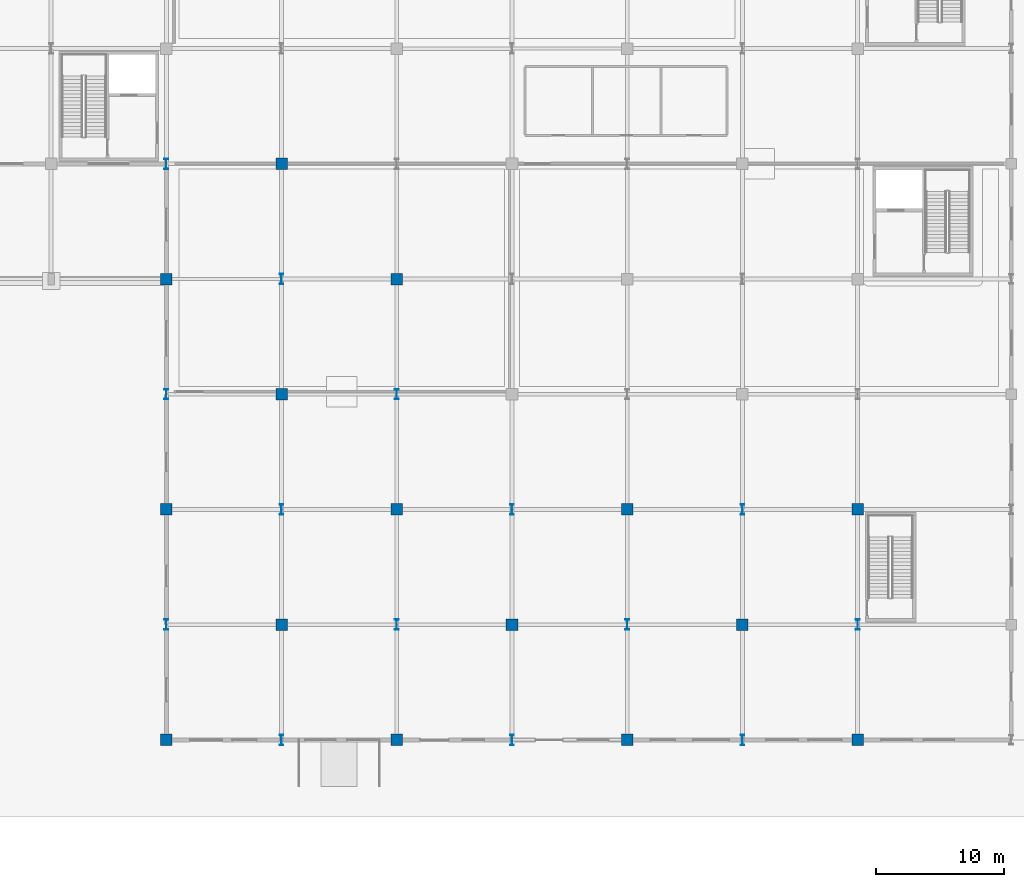
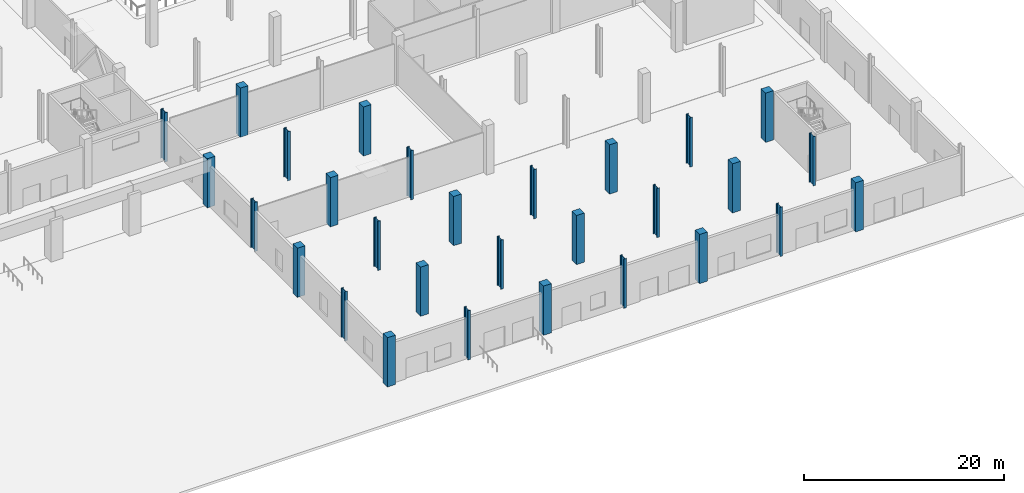
# One storey, part 9 of 58: 29 columns.
"""IFC4 building model written with IfcOpenShell, lengths in metres."""

import ifcopenshell
import ifcopenshell.guid

model = None  # the IFC model being written
_history = None  # IfcOwnerHistory: only IFC2X3 demands one
_inside = {}  # id of a spatial element -> (the spatial element, [elements in it])
_under = {}  # id of a project, library or spatial element -> (it, [spatial elements below it])
_declared = {}  # id of a project -> (the project, [libraries it declares])
_typed = {}  # id of a type object -> (the type object, [elements of that type])
_made_of = {}  # id of a material, layer set ... -> (it, [elements and type objects made of it])


def new_model(schema):
    """Start an empty IFC model of exactly this schema.

    Asked for "IFC4X3", IfcOpenShell would pick the latest addendum, in which some entities
    have other attributes; the version numbers below select the first issue.
    IFC2X3 requires an IfcOwnerHistory on every rooted entity: one is made here for all.
    """
    global model, _history
    if schema == "IFC4X3":
        model = ifcopenshell.file(schema_version=(4, 3, 0, 0))
    else:
        model = ifcopenshell.file(schema=schema)
    _inside.clear()
    _under.clear()
    _declared.clear()
    _typed.clear()
    _made_of.clear()
    _history = None
    if model.schema == "IFC2X3":
        org = make("IfcOrganization", Name="unknown")
        user = make(
            "IfcPersonAndOrganization",
            ThePerson=make("IfcPerson", FamilyName="unknown"),
            TheOrganization=org,
        )
        app = make(
            "IfcApplication",
            ApplicationDeveloper=org,
            Version="unknown",
            ApplicationFullName="unknown",
            ApplicationIdentifier="unknown",
        )
        _history = make(
            "IfcOwnerHistory",
            OwningUser=user,
            OwningApplication=app,
            ChangeAction="ADDED",
            CreationDate=0,
        )
    return model


def make(cls, **values):
    """One entity of the class cls with the attributes given. An attribute that is None is left unset."""
    return model.create_entity(
        cls, **{name: value for name, value in values.items() if value is not None}
    )


def rooted(cls, **values):
    """An entity with a GlobalId (a new one), such as an element, a storey or a relation."""
    return make(cls, GlobalId=ifcopenshell.guid.new(), OwnerHistory=_history, **values)


def si_unit(unit_type, name, prefix=None):
    """IfcSIUnit, for example si_unit("LENGTHUNIT", "METRE", prefix="MILLI")."""
    return make("IfcSIUnit", UnitType=unit_type, Prefix=prefix, Name=name)


def assignment(units):
    """IfcUnitAssignment: the units of a project."""
    return None if units is None else make("IfcUnitAssignment", Units=units)


def point(xyz):
    """IfcCartesianPoint."""
    return None if xyz is None else make("IfcCartesianPoint", Coordinates=xyz)


def direction(xyz):
    """IfcDirection."""
    return None if xyz is None else make("IfcDirection", DirectionRatios=xyz)


def frame(location, z_axis=None, x_axis=None):
    """IfcAxis2Placement3D, a coordinate frame: its origin and axes. An axis left out is left unset."""
    return make(
        "IfcAxis2Placement3D",
        Location=point(location),
        Axis=direction(z_axis),
        RefDirection=direction(x_axis),
    )


def frame_2d(location, x_axis=None):
    """IfcAxis2Placement2D, a coordinate frame in the plane: its origin and x axis."""
    return make(
        "IfcAxis2Placement2D", Location=point(location), RefDirection=direction(x_axis)
    )


def origin():
    """The frame at (0, 0, 0) with its axes left unset."""
    return frame((0.0, 0.0, 0.0))


def origin_2d():
    """The frame at (0, 0) in the plane with its x axis left unset."""
    return frame_2d((0.0, 0.0))


def place(relative_to, where):
    """IfcLocalPlacement: puts the frame where relative to a parent placement (None: the world)."""
    return make(
        "IfcLocalPlacement", PlacementRelTo=relative_to, RelativePlacement=where
    )


def context(
    kind, dimensions, precision=None, world=None, true_north=None, identifier=None
):
    """IfcGeometricRepresentationContext, for example the 3D "Model" context."""
    return make(
        "IfcGeometricRepresentationContext",
        ContextIdentifier=identifier,
        ContextType=kind,
        CoordinateSpaceDimension=dimensions,
        Precision=precision,
        WorldCoordinateSystem=world,
        TrueNorth=true_north,
    )


def subcontext(parent, identifier, kind, view, scale=None):
    """IfcGeometricRepresentationSubContext, for example "Body" below "Model"."""
    return make(
        "IfcGeometricRepresentationSubContext",
        ContextIdentifier=identifier,
        ContextType=kind,
        ParentContext=parent,
        TargetScale=scale,
        TargetView=view,
    )


def project(units=None, contexts=None):
    """IfcProject with its units and contexts."""
    return rooted(
        "IfcProject",
        Name="project",
        RepresentationContexts=contexts,
        UnitsInContext=assignment(units),
    )


def spatial(cls, under=None, at=None, **own):
    """A site, building, storey or space (cls), placed at a placement, below another one or the project."""
    s = rooted(cls, ObjectPlacement=at, **own)
    if under is not None:
        _under.setdefault(under.id(), (under, []))[1].append(s)
    return s


def profile(cls, at=None, kind="AREA", **sizes):
    """A parametric profile (cls). Its sizes go by their IFC names, for example OverallWidth=200.0."""
    return make(cls, ProfileType=kind, Position=at, **sizes)


def rectangle(**sizes):
    """IfcRectangleProfileDef."""
    return profile("IfcRectangleProfileDef", **sizes)


def i_section(**sizes):
    """IfcIShapeProfileDef."""
    return profile("IfcIShapeProfileDef", **sizes)


def extrude(swept, where, along, depth):
    """IfcExtrudedAreaSolid: the profile swept, set in the frame where, extruded along a direction by depth."""
    return make(
        "IfcExtrudedAreaSolid",
        SweptArea=swept,
        Position=where,
        ExtrudedDirection=direction(along),
        Depth=depth,
    )


def shape(context_of_items, identifier, shape_type, items):
    """IfcShapeRepresentation: the items that make up one representation, for example the "Body"."""
    return make(
        "IfcShapeRepresentation",
        ContextOfItems=context_of_items,
        RepresentationIdentifier=identifier,
        RepresentationType=shape_type,
        Items=items,
    )


def material(Name=None, Category=None):
    """IfcMaterial."""
    return make("IfcMaterial", Name=Name, Category=Category)


def material_profile(
    of_material, cross_section, Name=None, Category=None, Priority=None
):
    """IfcMaterialProfile: a cross section and its material."""
    return make(
        "IfcMaterialProfile",
        Name=Name,
        Material=of_material,
        Profile=cross_section,
        Priority=Priority,
        Category=Category,
    )


def profile_set(profiles, Name=None, composite=None):
    """IfcMaterialProfileSet."""
    return make(
        "IfcMaterialProfileSet",
        Name=Name,
        MaterialProfiles=profiles,
        CompositeProfile=composite,
    )


def made_of(thing, what):
    """Note that an element or type object is made of a material, layer set ...; save() writes the relation."""
    if what is not None:
        _made_of.setdefault(what.id(), (what, []))[1].append(thing)
    return thing


def type_object(cls, material=None, **own):
    """A type object (cls), such as IfcWallType, which elements share."""
    return made_of(rooted(cls, **own), material)


def element(
    cls,
    number,
    at=None,
    inside=None,
    cuts=None,
    type_object=None,
    material=None,
    context=None,
    identifier="Body",
    shape_type=None,
    held_by="IfcProductDefinitionShape",
    body=None,
    shapes=None,
    **own,
):
    """One element of the class cls, such as IfcWall. Its Tag is "e" and its number.

    at: its placement. inside: the storey or other place that contains it. cuts: it is an
    opening in that element (IfcRelVoidsElement). A single representation is given by context,
    identifier, shape_type and body (its items); several are given by shapes. held_by: the class
    of the entity that holds the representations. save() writes the other relations.
    """
    e = rooted(cls, Tag="e%d" % number, ObjectPlacement=at, **own)
    if body is not None:
        shapes = [shape(context, identifier, shape_type, body)]
    if shapes is not None:
        e.Representation = make(held_by, Representations=shapes)
    if inside is not None:
        _inside.setdefault(inside.id(), (inside, []))[1].append(e)
    if cuts is not None:
        rooted(
            "IfcRelVoidsElement", RelatingBuildingElement=cuts, RelatedOpeningElement=e
        )
    if type_object is not None:
        _typed.setdefault(type_object.id(), (type_object, []))[1].append(e)
    return made_of(e, material)


def aggregate(whole, parts):
    """IfcRelAggregates: a whole, such as a stair, and the parts it consists of."""
    return rooted("IfcRelAggregates", RelatingObject=whole, RelatedObjects=parts)


def save(model, path):
    """Write the relations noted so far, then the file.

    IfcRelAggregates (storeys below a building ...), IfcRelContainedInSpatialStructure (elements
    in a storey), IfcRelDefinesByType, IfcRelAssociatesMaterial and IfcRelDeclares: one each for
    every whole, place, type object, material and project.
    """
    for whole, parts in _under.values():
        aggregate(whole, parts)
    for where, things in _inside.values():
        rooted(
            "IfcRelContainedInSpatialStructure",
            RelatedElements=things,
            RelatingStructure=where,
        )
    for kind, things in _typed.values():
        rooted("IfcRelDefinesByType", RelatedObjects=things, RelatingType=kind)
    for what, things in _made_of.values():
        rooted("IfcRelAssociatesMaterial", RelatedObjects=things, RelatingMaterial=what)
    for by, libraries in _declared.values():
        rooted("IfcRelDeclares", RelatingContext=by, RelatedDefinitions=libraries)
    model.write(path)


model = new_model("IFC4")

# Units and contexts
model_context = context("Model", 3, precision=1e-05, world=origin(), true_north=direction((0.0, 1.0)))
body_context = subcontext(model_context, "Body", "Model", "MODEL_VIEW")
ifc_project = project(units=[si_unit("LENGTHUNIT", "METRE"), si_unit("AREAUNIT", "SQUARE_METRE"), si_unit("VOLUMEUNIT", "CUBIC_METRE"), si_unit("PLANEANGLEUNIT", "RADIAN"), si_unit("MASSUNIT", "GRAM", prefix="KILO")], contexts=[model_context])

# Site, building, storey
site_placement = place(None, origin())
site = spatial("IfcSite", under=ifc_project, at=site_placement, CompositionType="ELEMENT")
building_placement = place(site_placement, origin())
building = spatial("IfcBuilding", under=site, at=building_placement, Name="Barlavento Convention Centre", CompositionType="ELEMENT")
storey_placement = place(building_placement, origin())
storey = spatial("IfcBuildingStorey", under=building, at=storey_placement, Name="L00", CompositionType="ELEMENT", Elevation=0.0)

# Columns
ifc_material_1 = material(Name="Steel S460", Category="steel")
ifc_material_profile_1 = material_profile(ifc_material_1, i_section(OverallWidth=0.302978515625, OverallDepth=0.81396484375, WebThickness=0.02099609375, FlangeThickness=0.0400390625, FilletRadius=0.030029296875, at=origin_2d()), Name="HEM 800")
ifc_profile_set_1 = profile_set([ifc_material_profile_1], Name="Steel S460")
column_type_1 = type_object("IfcColumnType", Name="STR-COL-HEM800", PredefinedType="COLUMN", material=ifc_profile_set_1)
for number, where, z_axis, x_axis, name in (
    (1, (126.0, 9.0, 0.0), (0.0, 0.0, 1.0), (1.0, 0.0, 0.0), "L00 column SC02"),
    (2, (126.0, 27.0, 0.0), (0.0, 0.0, 1.0), (1.0, 0.0, 0.0), "L00 column SC02"),
    (3, (126.0, 45.0, 0.0), (0.0, 0.0, 1.0), (1.0, 0.0, 0.0), "L00 column SC02"),
    (4, (135.0, 0.0, 0.0), (0.0, 0.0, 1.0), (1.0, 0.0, 0.0), "L00 column SC02"),
    (5, (135.0, 18.0, 0.0), (0.0, 0.0, 1.0), (1.0, 0.0, 0.0), "L00 column SC02"),
    (6, (135.0, 36.0, 0.0), (0.0, 0.0, 1.0), (1.0, 0.0, 0.0), "L00 column SC02"),
    (7, (144.0, 9.0, 0.0), (0.0, 0.0, 1.0), (1.0, 0.0, 0.0), "L00 column SC02"),
    (8, (144.0, 27.0, 0.0), (0.0, 0.0, 1.0), (1.0, 0.0, 0.0), "L00 column SC02"),
    (9, (153.0, 0.0, 0.0), (0.0, 0.0, 1.0), (1.0, 0.0, 0.0), "L00 column SC02"),
    (10, (153.0, 18.0, 0.0), (0.0, 0.0, 1.0), (1.0, 0.0, 0.0), "L00 column SC02"),
    (11, (162.0, 9.0, 0.0), (0.0, 0.0, 1.0), (1.0, 0.0, 0.0), "L00 column SC02"),
    (12, (171.0, 0.0, 0.0), (0.0, 0.0, 1.0), (1.0, 0.0, 0.0), "L00 column SC02"),
    (13, (171.0, 18.0, 0.0), (0.0, 0.0, 1.0), (1.0, 0.0, 0.0), "L00 column SC02"),
    (14, (180.0, 9.0, 0.0), (0.0, 0.0, 1.0), (1.0, 0.0, 0.0), "L00 column SC02"),
):
    element("IfcColumn", number, at=place(storey_placement, frame(where, z_axis=z_axis, x_axis=x_axis)), inside=storey, type_object=column_type_1, Name=name, PredefinedType="COLUMN", context=body_context, shape_type="SweptSolid", body=[
        extrude(i_section(OverallWidth=0.302978515625, OverallDepth=0.81396484375, WebThickness=0.02099609375, FlangeThickness=0.0400390625, FilletRadius=0.030029296875, at=origin_2d()), origin(), (0.0, 0.0, 1.0), 6.0),
    ])
ifc_material_2 = material(Name="Concrete C50/60", Category="concrete")
ifc_material_profile_2 = material_profile(ifc_material_2, rectangle(XDim=0.89990234375, YDim=0.89990234375, at=origin_2d()), Name="RC 900x900")
ifc_profile_set_2 = profile_set([ifc_material_profile_2], Name="Concrete C50/60")
column_type_2 = type_object("IfcColumnType", Name="STR-COL-RC900", PredefinedType="COLUMN", material=ifc_profile_set_2)
for number, where, z_axis, x_axis, name in (
    (15, (126.0, 0.0, 0.0), (0.0, 0.0, 1.0), (1.0, 0.0, 0.0), "L00 column CC04"),
    (16, (126.0, 18.0, 0.0), (0.0, 0.0, 1.0), (1.0, 0.0, 0.0), "L00 column CC04"),
    (17, (126.0, 36.0, 0.0), (0.0, 0.0, 1.0), (1.0, 0.0, 0.0), "L00 column CC04"),
    (18, (135.0, 9.0, 0.0), (0.0, 0.0, 1.0), (1.0, 0.0, 0.0), "L00 column CC04"),
    (19, (135.0, 27.0, 0.0), (0.0, 0.0, 1.0), (1.0, 0.0, 0.0), "L00 column CC04"),
    (20, (135.0, 45.0, 0.0), (0.0, 0.0, 1.0), (1.0, 0.0, 0.0), "L00 column CC04"),
    (21, (144.0, 0.0, 0.0), (0.0, 0.0, 1.0), (1.0, 0.0, 0.0), "L00 column CC04"),
    (22, (144.0, 18.0, 0.0), (0.0, 0.0, 1.0), (1.0, 0.0, 0.0), "L00 column CC04"),
    (23, (144.0, 36.0, 0.0), (0.0, 0.0, 1.0), (1.0, 0.0, 0.0), "L00 column CC04"),
    (24, (153.0, 9.0, 0.0), (0.0, 0.0, 1.0), (1.0, 0.0, 0.0), "L00 column CC04"),
    (25, (162.0, 0.0, 0.0), (0.0, 0.0, 1.0), (1.0, 0.0, 0.0), "L00 column CC04"),
    (26, (162.0, 18.0, 0.0), (0.0, 0.0, 1.0), (1.0, 0.0, 0.0), "L00 column CC04"),
    (27, (171.0, 9.0, 0.0), (0.0, 0.0, 1.0), (1.0, 0.0, 0.0), "L00 column CC04"),
    (28, (180.0, 0.0, 0.0), (0.0, 0.0, 1.0), (1.0, 0.0, 0.0), "L00 column CC04"),
    (29, (180.0, 18.0, 0.0), (0.0, 0.0, 1.0), (1.0, 0.0, 0.0), "L00 column CC04"),
):
    element("IfcColumn", number, at=place(storey_placement, frame(where, z_axis=z_axis, x_axis=x_axis)), inside=storey, type_object=column_type_2, Name=name, PredefinedType="COLUMN", context=body_context, shape_type="SweptSolid", body=[
        extrude(rectangle(XDim=0.89990234375, YDim=0.89990234375, at=origin_2d()), origin(), (0.0, 0.0, 1.0), 6.0),
    ])

save(model, "model.ifc")
